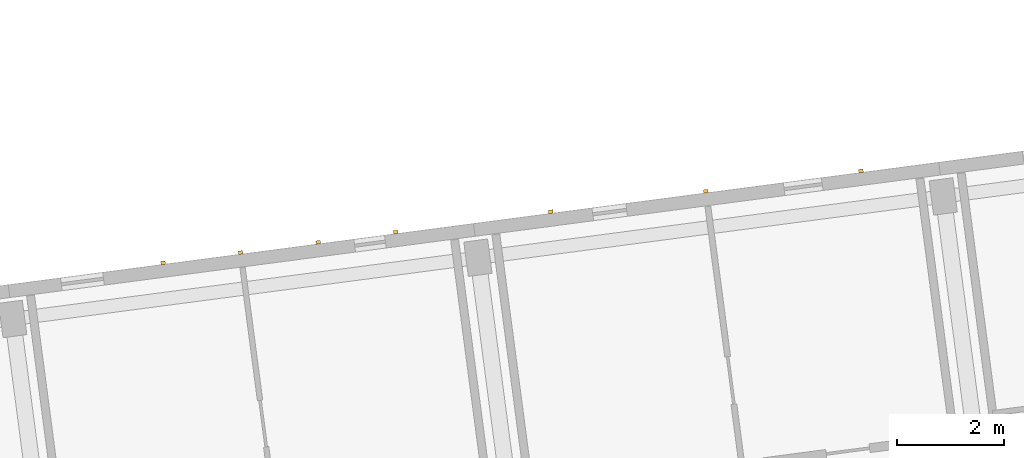
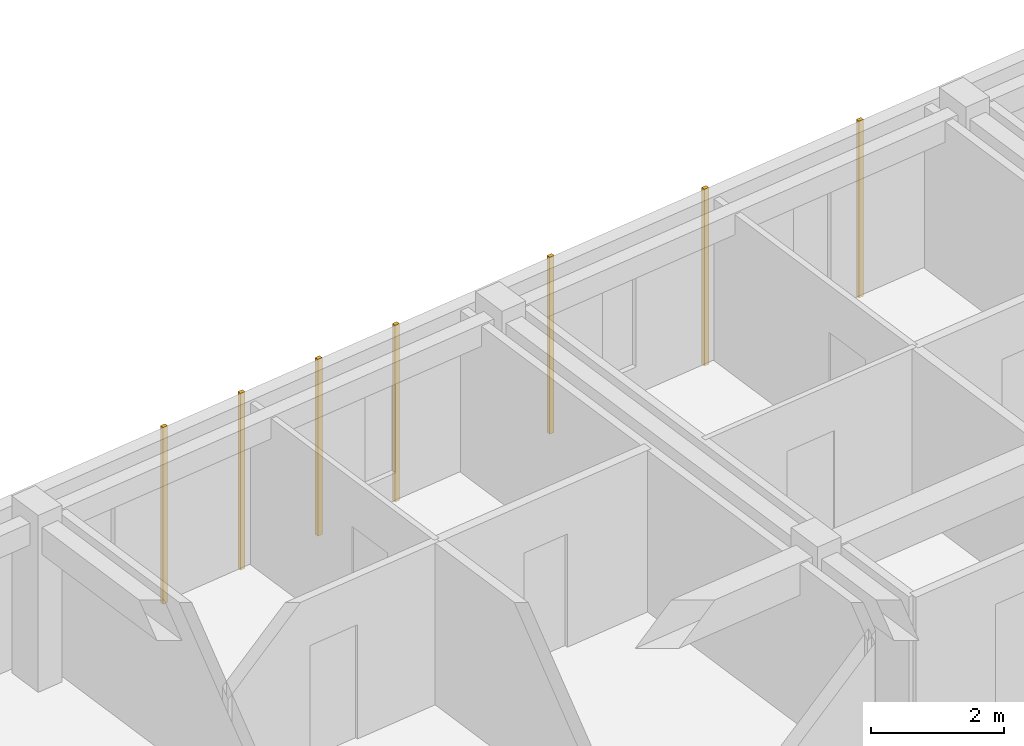
# One storey, part 36 of 45: 7 coverings.
"""IFC4 building model written with IfcOpenShell, lengths in metres."""

from ifc_helpers import new_model, si_unit, direction, frame, origin, origin_2d, place, context, subcontext, project, spatial, rectangle, extrude, material, layer, layer_set, type_object, element, save


model = new_model("IFC4")

# Units and contexts
model_context = context("Model", 3, precision=1e-05, world=origin(), true_north=direction((0.0, 1.0)))
body_context = subcontext(model_context, "Body", "Model", "MODEL_VIEW")
ifc_project = project(units=[si_unit("LENGTHUNIT", "METRE"), si_unit("AREAUNIT", "SQUARE_METRE"), si_unit("VOLUMEUNIT", "CUBIC_METRE"), si_unit("PLANEANGLEUNIT", "RADIAN"), si_unit("MASSUNIT", "GRAM", prefix="KILO")], contexts=[model_context])

# Site, building, storey
site_placement = place(None, origin())
site = spatial("IfcSite", under=ifc_project, at=site_placement, CompositionType="ELEMENT")
building_placement = place(site_placement, origin())
building = spatial("IfcBuilding", under=site, at=building_placement, Name="Kestramere Prow Commons", CompositionType="ELEMENT")
storey_placement = place(building_placement, frame((0.0, 0.0, 31.14990234375)))
storey = spatial("IfcBuildingStorey", under=building, at=storey_placement, Name="L09", CompositionType="ELEMENT", Elevation=31.14990234375)

# Coverings
ifc_material = material(Name="Weathered Zinc-Titanium Standing-Seam Cladding")
ifc_layer = layer(ifc_material, 0.074951171875)
ifc_layer_set = layer_set([ifc_layer], Name="Weathered Zinc-Titanium Standing-Seam Cladding")
covering_type = type_object("IfcCoveringType", Name="COV-CLAD-SEAM", PredefinedType="CLADDING", material=ifc_layer_set)
for number, where, z_axis, x_axis, name in (
    (1, (37.58349609375, 96.329345703125, -0.25), (0.0, 0.0, 1.0), (0.991444861374, 0.13052619222, 0.0), "EW-A-L09-N-3 Standing-Seam Rib 2"),
    (2, (39.03759765625, 96.520751953125, -0.25), (0.0, 0.0, 1.0), (0.991444861374, 0.13052619222, 0.0), "EW-A-L09-N-3 Standing-Seam Rib 3"),
    (3, (40.49169921875, 96.712158203125, -0.25), (0.0, 0.0, 1.0), (0.991444861374, 0.13052619222, 0.0), "EW-A-L09-N-3 Standing-Seam Rib 4"),
    (4, (41.94580078125, 96.903564453125, -0.25), (0.0, 0.0, 1.0), (0.991444861374, 0.13052619222, 0.0), "EW-A-L09-N-3 Standing-Seam Rib 5"),
    (5, (44.85400390625, 97.28662109375, -0.25), (0.0, 0.0, 1.0), (0.991444861374, 0.13052619222, 0.0), "EW-A-L09-N-4 Standing-Seam Rib 1"),
    (6, (47.76220703125, 97.66943359375, -0.25), (0.0, 0.0, 1.0), (0.991444861374, 0.13052619222, 0.0), "EW-A-L09-N-4 Standing-Seam Rib 3"),
    (7, (50.67041015625, 98.05224609375, -0.25), (0.0, 0.0, 1.0), (0.991444861374, 0.13052619222, 0.0), "EW-A-L09-N-4 Standing-Seam Rib 5"),
):
    element("IfcCovering", number, at=place(storey_placement, frame(where, z_axis=z_axis, x_axis=x_axis)), inside=storey, type_object=covering_type, Name=name, PredefinedType="CLADDING", context=body_context, shape_type="SweptSolid", body=[
        extrude(rectangle(XDim=0.0849609375, YDim=0.06494140625, at=origin_2d()), origin(), (0.0, 0.0, 1.0), 3.25),
    ])

save(model, "model.ifc")
